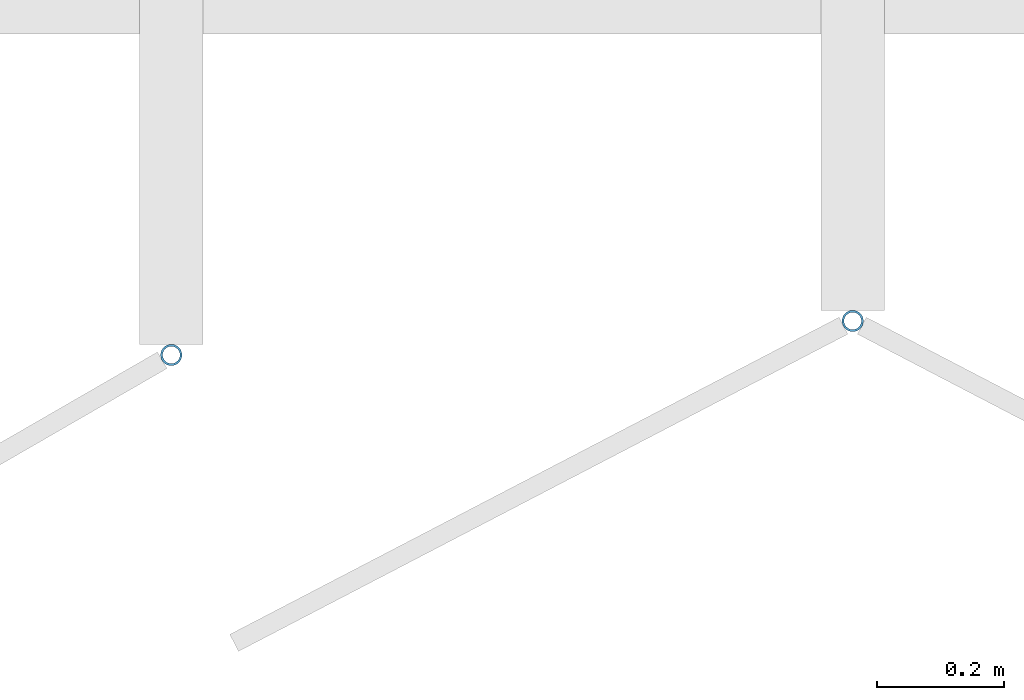
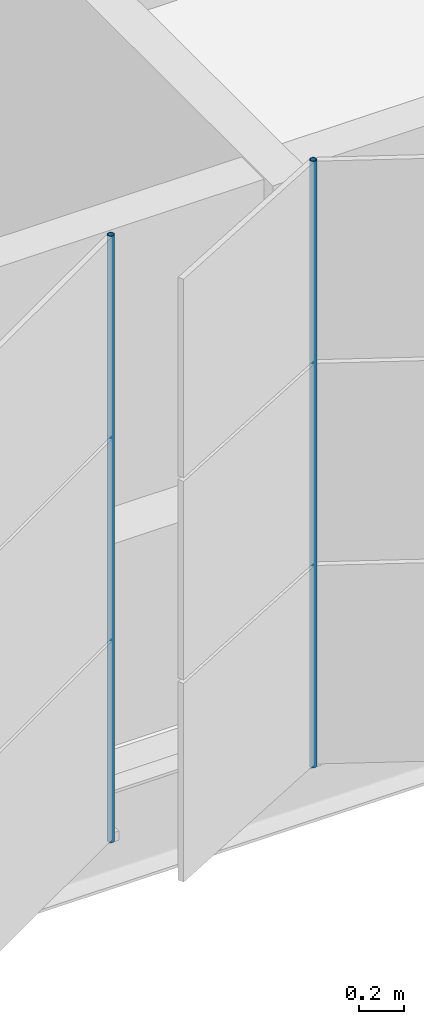
# One storey, part 84 of 214: 2 discrete accessories.
"""IFC4 building model written with IfcOpenShell, lengths in metres."""

from ifc_helpers import new_model, si_unit, direction, frame, origin, origin_2d, place, context, subcontext, project, spatial, hollow_circle, extrude, material, material_profile, profile_set, type_object, element, save


model = new_model("IFC4")

# Units and contexts
model_context = context("Model", 3, precision=1e-05, world=origin(), true_north=direction((0.0, 1.0)))
body_context = subcontext(model_context, "Body", "Model", "MODEL_VIEW")
ifc_project = project(units=[si_unit("LENGTHUNIT", "METRE"), si_unit("AREAUNIT", "SQUARE_METRE"), si_unit("VOLUMEUNIT", "CUBIC_METRE"), si_unit("PLANEANGLEUNIT", "RADIAN"), si_unit("MASSUNIT", "GRAM", prefix="KILO")], contexts=[model_context])

# Site, building, storey
site_placement = place(None, origin())
site = spatial("IfcSite", under=ifc_project, at=site_placement, CompositionType="ELEMENT")
building_placement = place(site_placement, origin())
building = spatial("IfcBuilding", under=site, at=building_placement, Name="Parallax Yard Mobility Hub", CompositionType="ELEMENT")
storey_placement = place(building_placement, frame((0.0, 0.0, 3.300048828125)))
storey = spatial("IfcBuildingStorey", under=building, at=storey_placement, Name="L01", CompositionType="ELEMENT", Elevation=3.300048828125)

# Discrete accessories
ifc_material = material(Name="Steel ASTM A500 Gr C, hot-dip galvanised", Category="steel")
ifc_material_profile = material_profile(ifc_material, hollow_circle(Radius=0.016845703125, WallThickness=0.003173828125, at=origin_2d()), Name="CHS 33.7x3.2")
ifc_profile_set = profile_set([ifc_material_profile], Name="Steel ASTM A500 Gr C, hot-dip galvanised")
discrete_accessory_type = type_object("IfcDiscreteAccessoryType", Name="Hinge post CHS 33.7x3.2", PredefinedType="BRACKET", material=ifc_profile_set)
for number, where, z_axis, x_axis, name in (
    (1, (38.557373046875, 111.89111328125, 0.0), (0.0, 0.0, 1.0), (1.0, 0.0, 0.0), "Hinge post bay 2.2 level L01"),
    (2, (39.62890625, 111.944580078125, 0.0), (0.0, 0.0, 1.0), (1.0, 0.0, 0.0), "Hinge post bay 2.3 level L01"),
):
    element("IfcDiscreteAccessory", number, at=place(storey_placement, frame(where, z_axis=z_axis, x_axis=x_axis)), inside=storey, type_object=discrete_accessory_type, Name=name, PredefinedType="BRACKET", context=body_context, shape_type="SweptSolid", body=[
        extrude(hollow_circle(Radius=0.016845703125, WallThickness=0.003173828125, at=origin_2d()), origin(), (0.0, 0.0, 1.0), 3.300048828125),
    ])

save(model, "model.ifc")
